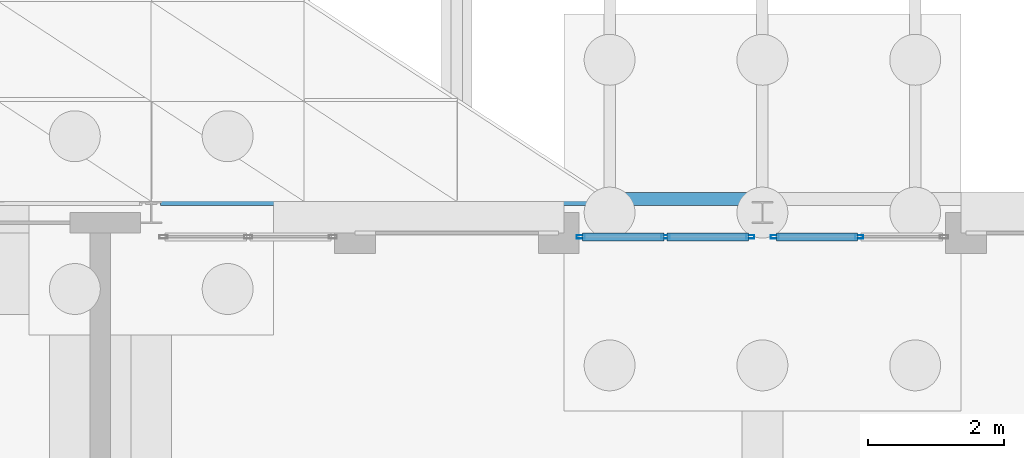
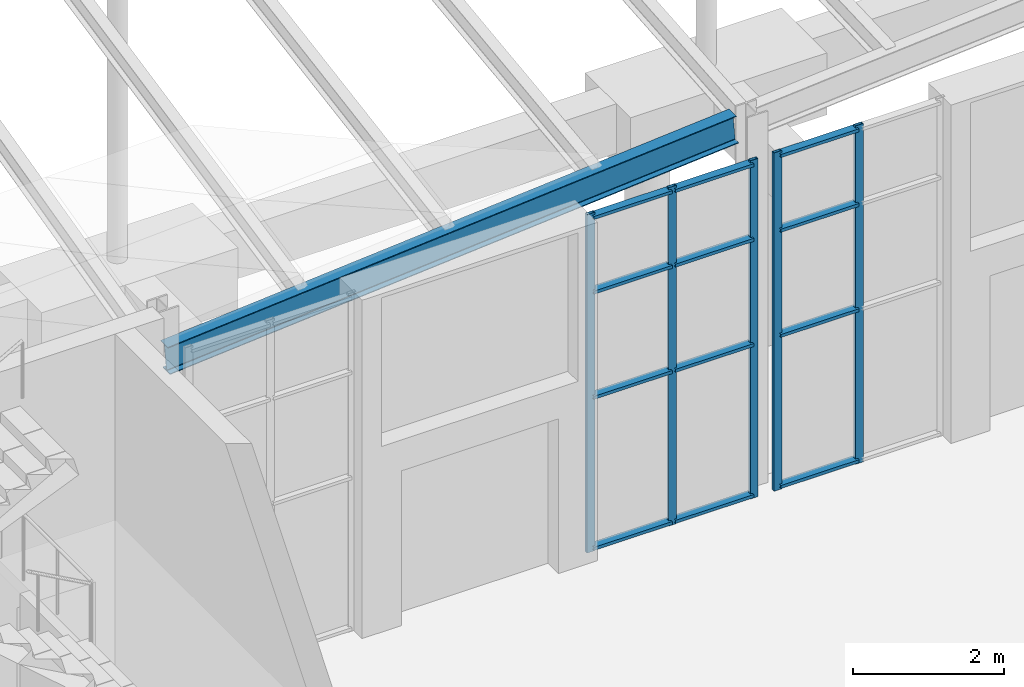
# One storey, part 73 of 139: 17 members, 1 beam, 2 elements without a shape of their own.
"""IFC4 building model written with IfcOpenShell, lengths in metres."""

from ifc_helpers import new_model, si_unit, direction, frame, origin, origin_2d, place, context, subcontext, project, spatial, hollow_rectangle, i_section, extrude, material, layer, layer_set, material_profile, profile_set, type_object, element, aggregate, save


model = new_model("IFC4")

# Units and contexts
model_context = context("Model", 3, precision=1e-05, world=origin(), true_north=direction((0.0, 1.0)))
body_context = subcontext(model_context, "Body", "Model", "MODEL_VIEW")
ifc_project = project(units=[si_unit("LENGTHUNIT", "METRE"), si_unit("AREAUNIT", "SQUARE_METRE"), si_unit("VOLUMEUNIT", "CUBIC_METRE"), si_unit("PLANEANGLEUNIT", "RADIAN"), si_unit("MASSUNIT", "GRAM", prefix="KILO")], contexts=[model_context])

# Site, building, storey
site_placement = place(None, origin())
site = spatial("IfcSite", under=ifc_project, at=site_placement, CompositionType="ELEMENT")
building_placement = place(site_placement, origin())
building = spatial("IfcBuilding", under=site, at=building_placement, Name="Shorebreak Coast Museum", CompositionType="ELEMENT")
storey_placement = place(building_placement, origin())
storey = spatial("IfcBuildingStorey", under=building, at=storey_placement, Name="L00", CompositionType="ELEMENT", Elevation=0.0)

# Beam
ifc_material_1 = material(Name="Steel Grade 300", Category="steel")
ifc_material_profile_1 = material_profile(ifc_material_1, i_section(OverallWidth=0.18994140625, OverallDepth=0.453857421875, WebThickness=0.008544921875, FlangeThickness=0.0126953125, FilletRadius=0.011474609375, at=origin_2d()), Name="460UB67.1")
ifc_profile_set_1 = profile_set([ifc_material_profile_1], Name="Steel Grade 300")
beam_type = type_object("IfcBeamType", Name="Canopy ring beam 460UB67.1", PredefinedType="BEAM", material=ifc_profile_set_1)
beam_placement = place(storey_placement, frame((72.155517578125, 117.199951171875, 4.947265625), z_axis=(0.996784480982, 0.0, 0.080129261031), x_axis=(0.0, 1.0, 0.0)))
element("IfcBeam", 1, at=beam_placement, inside=storey, type_object=beam_type, Name="Canopy ring beam ENT-N building side 2", PredefinedType="BEAM", context=body_context, shape_type="SweptSolid", body=[
    extrude(i_section(OverallWidth=0.18994140625, OverallDepth=0.453857421875, WebThickness=0.008544921875, FlangeThickness=0.0126953125, FilletRadius=0.011474609375, at=origin_2d()), origin(), (0.0, 0.0, 1.0), 8.717041015625),
])

# Curtain wall, members
ifc_material_2 = material(Name="Aluminium", Category="aluminium")
ifc_layer = layer(ifc_material_2, 0.1201171875)
ifc_layer_set = layer_set([ifc_layer], Name="Aluminium")
curtain_wall_type = type_object("IfcCurtainWallType", Name="Entrance sidelight curtain wall", PredefinedType="NOTDEFINED", material=ifc_layer_set)
curtain_wall_1_placement = place(storey_placement, origin())
curtain_wall_1 = element("IfcCurtainWall", 2, at=curtain_wall_1_placement, inside=storey, type_object=curtain_wall_type, Name="Entrance glazing ENT-N 6", PredefinedType="NOTDEFINED")
ifc_material_3 = material(Name="Aluminium", Category="aluminium")
ifc_material_profile_2 = material_profile(ifc_material_3, hollow_rectangle(XDim=0.050048828125, YDim=0.1201171875, WallThickness=0.0029296875, at=origin_2d()), Name="AL 120x50 RHS")
ifc_profile_set_2 = profile_set([ifc_material_profile_2], Name="Aluminium")
member_type_1 = type_object("IfcMemberType", Name="Entrance mullion 50 x 120", PredefinedType="MULLION", material=ifc_profile_set_2)
member_1_placement = place(storey_placement, frame((78.324951171875, 116.6416015625, 0.0), z_axis=(0.0, 0.0, 1.0), x_axis=(0.0, 1.0, 0.0)))
member_1 = element("IfcMember", 3, at=member_1_placement, type_object=member_type_1, Name="CW1 mullion 1", PredefinedType="MULLION", context=body_context, shape_type="SweptSolid", body=[
    extrude(hollow_rectangle(XDim=0.050048828125, YDim=0.1201171875, WallThickness=0.0029296875, at=origin_2d()), origin(), (0.0, 0.0, 1.0), 5.46630859375),
])
member_2_placement = place(storey_placement, frame((79.572265625, 116.6416015625, 0.0), z_axis=(0.0, 0.0, 1.0), x_axis=(0.0, 1.0, 0.0)))
member_2 = element("IfcMember", 4, at=member_2_placement, type_object=member_type_1, Name="CW1 mullion 2", PredefinedType="MULLION", context=body_context, shape_type="SweptSolid", body=[
    extrude(hollow_rectangle(XDim=0.050048828125, YDim=0.1201171875, WallThickness=0.0029296875, at=origin_2d()), origin(), (0.0, 0.0, 1.0), 5.46630859375),
])
member_3_placement = place(storey_placement, frame((80.819580078125, 116.6416015625, 0.0), z_axis=(0.0, 0.0, 1.0), x_axis=(0.0, 1.0, 0.0)))
member_3 = element("IfcMember", 5, at=member_3_placement, type_object=member_type_1, Name="CW1 mullion 3", PredefinedType="MULLION", context=body_context, shape_type="SweptSolid", body=[
    extrude(hollow_rectangle(XDim=0.050048828125, YDim=0.1201171875, WallThickness=0.0029296875, at=origin_2d()), origin(), (0.0, 0.0, 1.0), 5.46630859375),
])

curtain_wall_2_placement = place(storey_placement, origin())
curtain_wall_2 = element("IfcCurtainWall", 6, at=curtain_wall_2_placement, inside=storey, type_object=curtain_wall_type, Name="Entrance glazing ENT-N 7", PredefinedType="NOTDEFINED")
member_4_placement = place(storey_placement, frame((81.180419921875, 116.6416015625, 0.0), z_axis=(0.0, 0.0, 1.0), x_axis=(0.0, 1.0, 0.0)))
member_4 = element("IfcMember", 7, at=member_4_placement, type_object=member_type_1, Name="CW2 mullion 1", PredefinedType="MULLION", context=body_context, shape_type="SweptSolid", body=[
    extrude(hollow_rectangle(XDim=0.050048828125, YDim=0.1201171875, WallThickness=0.0029296875, at=origin_2d()), origin(), (0.0, 0.0, 1.0), 5.46630859375),
])
member_5_placement = place(storey_placement, frame((82.427734375, 116.6416015625, 0.0), z_axis=(0.0, 0.0, 1.0), x_axis=(0.0, 1.0, 0.0)))
member_5 = element("IfcMember", 8, at=member_5_placement, type_object=member_type_1, Name="CW2 mullion 2", PredefinedType="MULLION", context=body_context, shape_type="SweptSolid", body=[
    extrude(hollow_rectangle(XDim=0.050048828125, YDim=0.1201171875, WallThickness=0.0029296875, at=origin_2d()), origin(), (0.0, 0.0, 1.0), 5.46630859375),
])

# Member
ifc_material_4 = material(Name="Aluminium", Category="aluminium")
ifc_material_profile_3 = material_profile(ifc_material_4, hollow_rectangle(XDim=0.1201171875, YDim=0.050048828125, WallThickness=0.0029296875, at=origin_2d()), Name="AL 50x120 RHS")
ifc_profile_set_3 = profile_set([ifc_material_profile_3], Name="Aluminium")
member_type_2 = type_object("IfcMemberType", Name="Entrance transom 120 x 50", PredefinedType="USERDEFINED", material=ifc_profile_set_3)
member_6_placement = place(storey_placement, frame((78.35009765625, 116.6416015625, 0.06005859375), z_axis=(1.0, 0.0, 0.0), x_axis=(0.0, 1.0, 0.0)))
member_6 = element("IfcMember", 9, at=member_6_placement, type_object=member_type_2, Name="CW1 transom 1.1", ObjectType="TRANSOM", PredefinedType="USERDEFINED", context=body_context, shape_type="SweptSolid", body=[
    extrude(hollow_rectangle(XDim=0.1201171875, YDim=0.050048828125, WallThickness=0.0029296875, at=origin_2d()), origin(), (0.0, 0.0, 1.0), 1.197265625),
])

member_7_placement = place(storey_placement, frame((78.35009765625, 116.6416015625, 2.5), z_axis=(1.0, 0.0, 0.0), x_axis=(0.0, 1.0, 0.0)))
member_7 = element("IfcMember", 10, at=member_7_placement, type_object=member_type_2, Name="CW1 transom 1.2", ObjectType="TRANSOM", PredefinedType="USERDEFINED", context=body_context, shape_type="SweptSolid", body=[
    extrude(hollow_rectangle(XDim=0.1201171875, YDim=0.050048828125, WallThickness=0.0029296875, at=origin_2d()), origin(), (0.0, 0.0, 1.0), 1.197265625),
])

member_8_placement = place(storey_placement, frame((78.35009765625, 116.6416015625, 4.199951171875), z_axis=(1.0, 0.0, 0.0), x_axis=(0.0, 1.0, 0.0)))
member_8 = element("IfcMember", 11, at=member_8_placement, type_object=member_type_2, Name="CW1 transom 1.3", ObjectType="TRANSOM", PredefinedType="USERDEFINED", context=body_context, shape_type="SweptSolid", body=[
    extrude(hollow_rectangle(XDim=0.1201171875, YDim=0.050048828125, WallThickness=0.0029296875, at=origin_2d()), origin(), (0.0, 0.0, 1.0), 1.197265625),
])

member_9_placement = place(storey_placement, frame((78.35009765625, 116.6416015625, 5.406494140625), z_axis=(1.0, 0.0, 0.0), x_axis=(0.0, 1.0, 0.0)))
member_9 = element("IfcMember", 12, at=member_9_placement, type_object=member_type_2, Name="CW1 transom 1.4", ObjectType="TRANSOM", PredefinedType="USERDEFINED", context=body_context, shape_type="SweptSolid", body=[
    extrude(hollow_rectangle(XDim=0.1201171875, YDim=0.050048828125, WallThickness=0.0029296875, at=origin_2d()), origin(), (0.0, 0.0, 1.0), 1.197265625),
])

member_10_placement = place(storey_placement, frame((79.59716796875, 116.6416015625, 0.06005859375), z_axis=(1.0, 0.0, 0.0), x_axis=(0.0, 1.0, 0.0)))
member_10 = element("IfcMember", 13, at=member_10_placement, type_object=member_type_2, Name="CW1 transom 2.1", ObjectType="TRANSOM", PredefinedType="USERDEFINED", context=body_context, shape_type="SweptSolid", body=[
    extrude(hollow_rectangle(XDim=0.1201171875, YDim=0.050048828125, WallThickness=0.0029296875, at=origin_2d()), origin(), (0.0, 0.0, 1.0), 1.197265625),
])

member_11_placement = place(storey_placement, frame((79.59716796875, 116.6416015625, 2.5), z_axis=(1.0, 0.0, 0.0), x_axis=(0.0, 1.0, 0.0)))
member_11 = element("IfcMember", 14, at=member_11_placement, type_object=member_type_2, Name="CW1 transom 2.2", ObjectType="TRANSOM", PredefinedType="USERDEFINED", context=body_context, shape_type="SweptSolid", body=[
    extrude(hollow_rectangle(XDim=0.1201171875, YDim=0.050048828125, WallThickness=0.0029296875, at=origin_2d()), origin(), (0.0, 0.0, 1.0), 1.197265625),
])

member_12_placement = place(storey_placement, frame((79.59716796875, 116.6416015625, 4.199951171875), z_axis=(1.0, 0.0, 0.0), x_axis=(0.0, 1.0, 0.0)))
member_12 = element("IfcMember", 15, at=member_12_placement, type_object=member_type_2, Name="CW1 transom 2.3", ObjectType="TRANSOM", PredefinedType="USERDEFINED", context=body_context, shape_type="SweptSolid", body=[
    extrude(hollow_rectangle(XDim=0.1201171875, YDim=0.050048828125, WallThickness=0.0029296875, at=origin_2d()), origin(), (0.0, 0.0, 1.0), 1.197265625),
])

member_13_placement = place(storey_placement, frame((79.59716796875, 116.6416015625, 5.406494140625), z_axis=(1.0, 0.0, 0.0), x_axis=(0.0, 1.0, 0.0)))
member_13 = element("IfcMember", 16, at=member_13_placement, type_object=member_type_2, Name="CW1 transom 2.4", ObjectType="TRANSOM", PredefinedType="USERDEFINED", context=body_context, shape_type="SweptSolid", body=[
    extrude(hollow_rectangle(XDim=0.1201171875, YDim=0.050048828125, WallThickness=0.0029296875, at=origin_2d()), origin(), (0.0, 0.0, 1.0), 1.197265625),
])

aggregate(curtain_wall_1, [member_1, member_2, member_3, member_6, member_7, member_8, member_9, member_10, member_11, member_12, member_13])

member_14_placement = place(storey_placement, frame((81.20556640625, 116.6416015625, 0.06005859375), z_axis=(1.0, 0.0, 0.0), x_axis=(0.0, 1.0, 0.0)))
member_14 = element("IfcMember", 17, at=member_14_placement, type_object=member_type_2, Name="CW2 transom 1.1", ObjectType="TRANSOM", PredefinedType="USERDEFINED", context=body_context, shape_type="SweptSolid", body=[
    extrude(hollow_rectangle(XDim=0.1201171875, YDim=0.050048828125, WallThickness=0.0029296875, at=origin_2d()), origin(), (0.0, 0.0, 1.0), 1.197265625),
])

member_15_placement = place(storey_placement, frame((81.20556640625, 116.6416015625, 2.5), z_axis=(1.0, 0.0, 0.0), x_axis=(0.0, 1.0, 0.0)))
member_15 = element("IfcMember", 18, at=member_15_placement, type_object=member_type_2, Name="CW2 transom 1.2", ObjectType="TRANSOM", PredefinedType="USERDEFINED", context=body_context, shape_type="SweptSolid", body=[
    extrude(hollow_rectangle(XDim=0.1201171875, YDim=0.050048828125, WallThickness=0.0029296875, at=origin_2d()), origin(), (0.0, 0.0, 1.0), 1.197265625),
])

member_16_placement = place(storey_placement, frame((81.20556640625, 116.6416015625, 4.199951171875), z_axis=(1.0, 0.0, 0.0), x_axis=(0.0, 1.0, 0.0)))
member_16 = element("IfcMember", 19, at=member_16_placement, type_object=member_type_2, Name="CW2 transom 1.3", ObjectType="TRANSOM", PredefinedType="USERDEFINED", context=body_context, shape_type="SweptSolid", body=[
    extrude(hollow_rectangle(XDim=0.1201171875, YDim=0.050048828125, WallThickness=0.0029296875, at=origin_2d()), origin(), (0.0, 0.0, 1.0), 1.197265625),
])

member_17_placement = place(storey_placement, frame((81.20556640625, 116.6416015625, 5.406494140625), z_axis=(1.0, 0.0, 0.0), x_axis=(0.0, 1.0, 0.0)))
member_17 = element("IfcMember", 20, at=member_17_placement, type_object=member_type_2, Name="CW2 transom 1.4", ObjectType="TRANSOM", PredefinedType="USERDEFINED", context=body_context, shape_type="SweptSolid", body=[
    extrude(hollow_rectangle(XDim=0.1201171875, YDim=0.050048828125, WallThickness=0.0029296875, at=origin_2d()), origin(), (0.0, 0.0, 1.0), 1.197265625),
])

aggregate(curtain_wall_2, [member_4, member_5, member_14, member_15, member_16, member_17])

save(model, "model.ifc")
